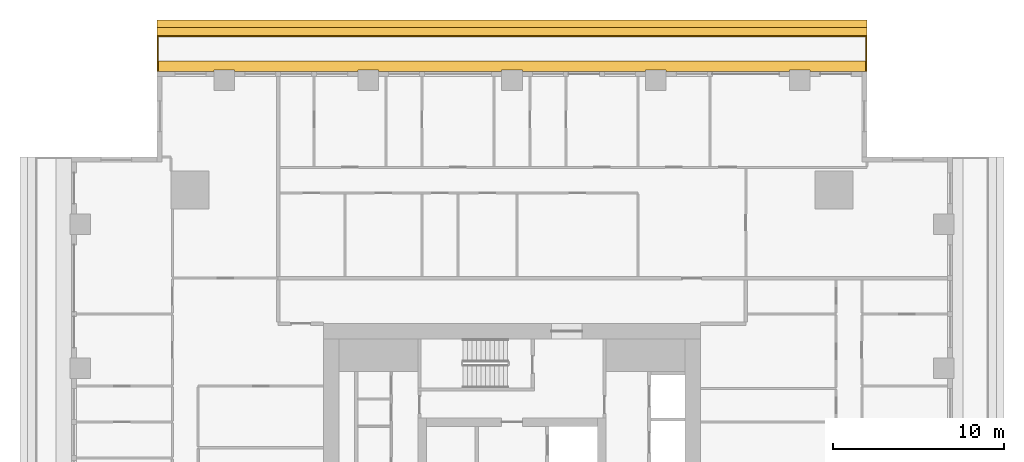
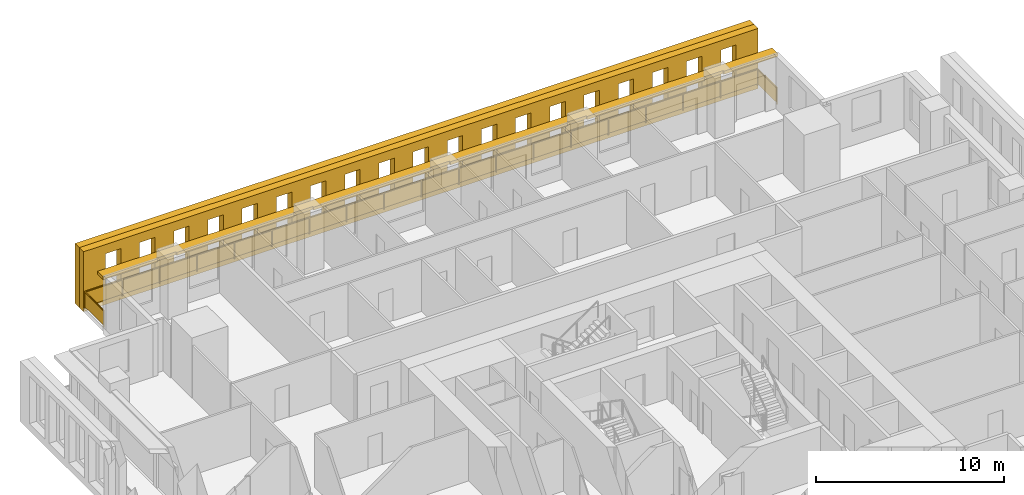
# One storey, part 14 of 14: 3 shading devices, 1 railing.
"""IFC4 building model written with IfcOpenShell, lengths in metres."""

from ifc_helpers import new_model, si_unit, direction, frame, origin, origin_2d, place, context, subcontext, project, spatial, polyline, rectangle, outline, extrude, material, layer, layer_set, type_object, element, save


model = new_model("IFC4")

# Units and contexts
model_context = context("Model", 3, precision=1e-05, world=origin(), true_north=direction((0.0, 1.0)))
body_context = subcontext(model_context, "Body", "Model", "MODEL_VIEW")
ifc_project = project(units=[si_unit("LENGTHUNIT", "METRE"), si_unit("AREAUNIT", "SQUARE_METRE"), si_unit("VOLUMEUNIT", "CUBIC_METRE"), si_unit("PLANEANGLEUNIT", "RADIAN"), si_unit("MASSUNIT", "GRAM", prefix="KILO")], contexts=[model_context])

# Site, building, storey
site_placement = place(None, origin())
site = spatial("IfcSite", under=ifc_project, at=site_placement, CompositionType="ELEMENT")
building_placement = place(site_placement, origin())
building = spatial("IfcBuilding", under=site, at=building_placement, Name="Khepri Terraces", CompositionType="ELEMENT")
storey_placement = place(building_placement, frame((0.0, 0.0, 283.5)))
storey = spatial("IfcBuildingStorey", under=building, at=storey_placement, Name="L68", CompositionType="ELEMENT", Elevation=283.5)

# Railing
ifc_material_1 = material(Name="Stainless steel grade 316", Category="steel")
railing_type = type_object("IfcRailingType", Name="GRD-BAL-1100", PredefinedType="GUARDRAIL", material=ifc_material_1)
railing_placement = place(storey_placement, frame((20.669921875, 25.719970703125, 0.0)))
element("IfcRailing", 1, at=railing_placement, inside=storey, type_object=railing_type, Name="Balcony guard L68 N", PredefinedType="GUARDRAIL", context=body_context, shape_type="SweptSolid", body=[
    extrude(rectangle(XDim=0.050048828125, YDim=0.06005859375, at=origin_2d()), frame((0.0, 0.0, 1.070068359375), z_axis=(0.0, 1.0, 0.0), x_axis=(-1.0, 0.0, 0.0)), (0.0, 0.0, 1.0), 2.050048828125),
    extrude(rectangle(XDim=2.0, YDim=0.011962890625, at=origin_2d()), frame((0.0, 1.02490234375, 0.10009765625), z_axis=(0.0, 0.0, 1.0), x_axis=(0.0, 1.0, 0.0)), (0.0, 0.0, 1.0), 0.93994140625),
    extrude(rectangle(XDim=0.050048828125, YDim=0.06005859375, at=origin_2d()), frame((0.0, 2.050048828125, 1.070068359375), z_axis=(-1.0, 0.0, 0.0), x_axis=(0.0, -1.0, 0.0)), (0.0, 0.0, 1.0), 41.33984375),
    extrude(rectangle(XDim=2.24658203125, YDim=0.011962890625, at=origin_2d()), frame((-1.1484375, 2.050048828125, 0.10009765625), z_axis=(0.0, 0.0, 1.0), x_axis=(-1.0, 0.0, 0.0)), (0.0, 0.0, 1.0), 0.93994140625),
    extrude(rectangle(XDim=2.24658203125, YDim=0.011962890625, at=origin_2d()), frame((-3.445068359375, 2.050048828125, 0.10009765625), z_axis=(0.0, 0.0, 1.0), x_axis=(-1.0, 0.0, 0.0)), (0.0, 0.0, 1.0), 0.93994140625),
    extrude(rectangle(XDim=2.24658203125, YDim=0.011962890625, at=origin_2d()), frame((-5.74169921875, 2.050048828125, 0.10009765625), z_axis=(0.0, 0.0, 1.0), x_axis=(-1.0, 0.0, 0.0)), (0.0, 0.0, 1.0), 0.93994140625),
    extrude(rectangle(XDim=2.24658203125, YDim=0.011962890625, at=origin_2d()), frame((-8.038330078125, 2.050048828125, 0.10009765625), z_axis=(0.0, 0.0, 1.0), x_axis=(-1.0, 0.0, 0.0)), (0.0, 0.0, 1.0), 0.93994140625),
    extrude(rectangle(XDim=2.24658203125, YDim=0.011962890625, at=origin_2d()), frame((-10.3349609375, 2.050048828125, 0.10009765625), z_axis=(0.0, 0.0, 1.0), x_axis=(-1.0, 0.0, 0.0)), (0.0, 0.0, 1.0), 0.93994140625),
    extrude(rectangle(XDim=2.24658203125, YDim=0.011962890625, at=origin_2d()), frame((-12.631591796875, 2.050048828125, 0.10009765625), z_axis=(0.0, 0.0, 1.0), x_axis=(-1.0, 0.0, 0.0)), (0.0, 0.0, 1.0), 0.93994140625),
    extrude(rectangle(XDim=2.24658203125, YDim=0.011962890625, at=origin_2d()), frame((-14.92822265625, 2.050048828125, 0.10009765625), z_axis=(0.0, 0.0, 1.0), x_axis=(-1.0, 0.0, 0.0)), (0.0, 0.0, 1.0), 0.93994140625),
    extrude(rectangle(XDim=2.24658203125, YDim=0.011962890625, at=origin_2d()), frame((-17.224853515625, 2.050048828125, 0.10009765625), z_axis=(0.0, 0.0, 1.0), x_axis=(-1.0, 0.0, 0.0)), (0.0, 0.0, 1.0), 0.93994140625),
    extrude(rectangle(XDim=2.24658203125, YDim=0.011962890625, at=origin_2d()), frame((-19.521484375, 2.050048828125, 0.10009765625), z_axis=(0.0, 0.0, 1.0), x_axis=(-1.0, 0.0, 0.0)), (0.0, 0.0, 1.0), 0.93994140625),
    extrude(rectangle(XDim=2.24658203125, YDim=0.011962890625, at=origin_2d()), frame((-21.818359375, 2.050048828125, 0.10009765625), z_axis=(0.0, 0.0, 1.0), x_axis=(-1.0, 0.0, 0.0)), (0.0, 0.0, 1.0), 0.93994140625),
    extrude(rectangle(XDim=2.24658203125, YDim=0.011962890625, at=origin_2d()), frame((-24.114990234375, 2.050048828125, 0.10009765625), z_axis=(0.0, 0.0, 1.0), x_axis=(-1.0, 0.0, 0.0)), (0.0, 0.0, 1.0), 0.93994140625),
    extrude(rectangle(XDim=2.24658203125, YDim=0.011962890625, at=origin_2d()), frame((-26.41162109375, 2.050048828125, 0.10009765625), z_axis=(0.0, 0.0, 1.0), x_axis=(-1.0, 0.0, 0.0)), (0.0, 0.0, 1.0), 0.93994140625),
    extrude(rectangle(XDim=2.24658203125, YDim=0.011962890625, at=origin_2d()), frame((-28.708251953125, 2.050048828125, 0.10009765625), z_axis=(0.0, 0.0, 1.0), x_axis=(-1.0, 0.0, 0.0)), (0.0, 0.0, 1.0), 0.93994140625),
    extrude(rectangle(XDim=2.24658203125, YDim=0.011962890625, at=origin_2d()), frame((-31.0048828125, 2.050048828125, 0.10009765625), z_axis=(0.0, 0.0, 1.0), x_axis=(-1.0, 0.0, 0.0)), (0.0, 0.0, 1.0), 0.93994140625),
    extrude(rectangle(XDim=2.24658203125, YDim=0.011962890625, at=origin_2d()), frame((-33.301513671875, 2.050048828125, 0.10009765625), z_axis=(0.0, 0.0, 1.0), x_axis=(-1.0, 0.0, 0.0)), (0.0, 0.0, 1.0), 0.93994140625),
    extrude(rectangle(XDim=2.24658203125, YDim=0.011962890625, at=origin_2d()), frame((-35.59814453125, 2.050048828125, 0.10009765625), z_axis=(0.0, 0.0, 1.0), x_axis=(-1.0, 0.0, 0.0)), (0.0, 0.0, 1.0), 0.93994140625),
    extrude(rectangle(XDim=2.24658203125, YDim=0.011962890625, at=origin_2d()), frame((-37.894775390625, 2.050048828125, 0.10009765625), z_axis=(0.0, 0.0, 1.0), x_axis=(-1.0, 0.0, 0.0)), (0.0, 0.0, 1.0), 0.93994140625),
    extrude(rectangle(XDim=2.24658203125, YDim=0.011962890625, at=origin_2d()), frame((-40.19140625, 2.050048828125, 0.10009765625), z_axis=(0.0, 0.0, 1.0), x_axis=(-1.0, 0.0, 0.0)), (0.0, 0.0, 1.0), 0.93994140625),
    extrude(rectangle(XDim=0.050048828125, YDim=0.06005859375, at=origin_2d()), frame((-41.33984375, 2.050048828125, 1.070068359375), z_axis=(0.0, -1.0, 0.0), x_axis=(1.0, 0.0, 0.0)), (0.0, 0.0, 1.0), 2.050048828125),
    extrude(rectangle(XDim=2.0, YDim=0.011962890625, at=origin_2d()), frame((-41.33984375, 1.02490234375, 0.10009765625), z_axis=(0.0, 0.0, 1.0), x_axis=(0.0, -1.0, 0.0)), (0.0, 0.0, 1.0), 0.93994140625),
    extrude(rectangle(XDim=0.050048828125, YDim=0.050048828125, at=origin_2d()), origin(), (0.0, 0.0, 1.0), 1.0400390625),
    extrude(rectangle(XDim=0.050048828125, YDim=0.050048828125, at=origin_2d()), frame((0.0, 2.050048828125, 0.0)), (0.0, 0.0, 1.0), 1.0400390625),
    extrude(rectangle(XDim=0.050048828125, YDim=0.050048828125, at=origin_2d()), frame((-2.296630859375, 2.050048828125, 0.0)), (0.0, 0.0, 1.0), 1.0400390625),
    extrude(rectangle(XDim=0.050048828125, YDim=0.050048828125, at=origin_2d()), frame((-4.59326171875, 2.050048828125, 0.0)), (0.0, 0.0, 1.0), 1.0400390625),
    extrude(rectangle(XDim=0.050048828125, YDim=0.050048828125, at=origin_2d()), frame((-6.889892578125, 2.050048828125, 0.0)), (0.0, 0.0, 1.0), 1.0400390625),
    extrude(rectangle(XDim=0.050048828125, YDim=0.050048828125, at=origin_2d()), frame((-9.1865234375, 2.050048828125, 0.0)), (0.0, 0.0, 1.0), 1.0400390625),
    extrude(rectangle(XDim=0.050048828125, YDim=0.050048828125, at=origin_2d()), frame((-11.4833984375, 2.050048828125, 0.0)), (0.0, 0.0, 1.0), 1.0400390625),
    extrude(rectangle(XDim=0.050048828125, YDim=0.050048828125, at=origin_2d()), frame((-13.780029296875, 2.050048828125, 0.0)), (0.0, 0.0, 1.0), 1.0400390625),
    extrude(rectangle(XDim=0.050048828125, YDim=0.050048828125, at=origin_2d()), frame((-16.07666015625, 2.050048828125, 0.0)), (0.0, 0.0, 1.0), 1.0400390625),
    extrude(rectangle(XDim=0.050048828125, YDim=0.050048828125, at=origin_2d()), frame((-18.373291015625, 2.050048828125, 0.0)), (0.0, 0.0, 1.0), 1.0400390625),
    extrude(rectangle(XDim=0.050048828125, YDim=0.050048828125, at=origin_2d()), frame((-20.669921875, 2.050048828125, 0.0)), (0.0, 0.0, 1.0), 1.0400390625),
    extrude(rectangle(XDim=0.050048828125, YDim=0.050048828125, at=origin_2d()), frame((-22.966552734375, 2.050048828125, 0.0)), (0.0, 0.0, 1.0), 1.0400390625),
    extrude(rectangle(XDim=0.050048828125, YDim=0.050048828125, at=origin_2d()), frame((-25.26318359375, 2.050048828125, 0.0)), (0.0, 0.0, 1.0), 1.0400390625),
    extrude(rectangle(XDim=0.050048828125, YDim=0.050048828125, at=origin_2d()), frame((-27.559814453125, 2.050048828125, 0.0)), (0.0, 0.0, 1.0), 1.0400390625),
    extrude(rectangle(XDim=0.050048828125, YDim=0.050048828125, at=origin_2d()), frame((-29.8564453125, 2.050048828125, 0.0)), (0.0, 0.0, 1.0), 1.0400390625),
    extrude(rectangle(XDim=0.050048828125, YDim=0.050048828125, at=origin_2d()), frame((-32.1533203125, 2.050048828125, 0.0)), (0.0, 0.0, 1.0), 1.0400390625),
    extrude(rectangle(XDim=0.050048828125, YDim=0.050048828125, at=origin_2d()), frame((-34.449951171875, 2.050048828125, 0.0)), (0.0, 0.0, 1.0), 1.0400390625),
    extrude(rectangle(XDim=0.050048828125, YDim=0.050048828125, at=origin_2d()), frame((-36.74658203125, 2.050048828125, 0.0)), (0.0, 0.0, 1.0), 1.0400390625),
    extrude(rectangle(XDim=0.050048828125, YDim=0.050048828125, at=origin_2d()), frame((-39.043212890625, 2.050048828125, 0.0)), (0.0, 0.0, 1.0), 1.0400390625),
    extrude(rectangle(XDim=0.050048828125, YDim=0.050048828125, at=origin_2d()), frame((-41.33984375, 2.050048828125, 0.0)), (0.0, 0.0, 1.0), 1.0400390625),
    extrude(rectangle(XDim=0.050048828125, YDim=0.050048828125, at=origin_2d()), frame((-41.33984375, 0.0, 0.0)), (0.0, 0.0, 1.0), 1.0400390625),
])

# Shading devices
ifc_material_2 = material(Name="Precast concrete C50/60 warm stone", Category="masonry")
shading_device_type_1 = type_object("IfcShadingDeviceType", Name="SCR-CELL-INNER-450", PredefinedType="USERDEFINED", material=ifc_material_2)
shading_device_1_placement = place(storey_placement, frame((20.719970703125, 27.820068359375, -0.25), z_axis=(0.0, 1.0, 0.0), x_axis=(-1.0, 0.0, 0.0)))
element("IfcShadingDevice", 2, at=shading_device_1_placement, inside=storey, type_object=shading_device_type_1, Name="Cell screen L68 N in", ObjectType="SCREEN", PredefinedType="USERDEFINED", context=body_context, shape_type="SweptSolid", body=[
    extrude(outline(polyline([(0.0, 0.0), (41.43994140625, 0.0), (41.43994140625, 3.89990234375), (0.0, 3.89990234375), (0.0, 0.0)]), holes=[polyline([(1.347412109375, 0.699951171875), (2.29248046875, 0.699951171875), (2.29248046875, 3.300048828125), (1.347412109375, 3.300048828125), (1.347412109375, 0.699951171875)]), polyline([(3.447509765625, 0.699951171875), (4.392578125, 0.699951171875), (4.392578125, 3.300048828125), (3.447509765625, 3.300048828125), (3.447509765625, 0.699951171875)]), polyline([(5.547607421875, 0.699951171875), (6.492431640625, 0.699951171875), (6.492431640625, 3.300048828125), (5.547607421875, 3.300048828125), (5.547607421875, 0.699951171875)]), polyline([(7.6474609375, 0.699951171875), (8.592529296875, 0.699951171875), (8.592529296875, 3.300048828125), (7.6474609375, 3.300048828125), (7.6474609375, 0.699951171875)]), polyline([(9.74755859375, 0.699951171875), (10.6923828125, 0.699951171875), (10.6923828125, 3.300048828125), (9.74755859375, 3.300048828125), (9.74755859375, 0.699951171875)]), polyline([(11.847412109375, 0.699951171875), (12.79248046875, 0.699951171875), (12.79248046875, 3.300048828125), (11.847412109375, 3.300048828125), (11.847412109375, 0.699951171875)]), polyline([(13.947509765625, 0.699951171875), (14.892578125, 0.699951171875), (14.892578125, 3.300048828125), (13.947509765625, 3.300048828125), (13.947509765625, 0.699951171875)]), polyline([(16.047607421875, 0.699951171875), (16.992431640625, 0.699951171875), (16.992431640625, 3.300048828125), (16.047607421875, 3.300048828125), (16.047607421875, 0.699951171875)]), polyline([(18.1474609375, 0.699951171875), (19.092529296875, 0.699951171875), (19.092529296875, 3.300048828125), (18.1474609375, 3.300048828125), (18.1474609375, 0.699951171875)]), polyline([(20.24755859375, 0.699951171875), (21.1923828125, 0.699951171875), (21.1923828125, 3.300048828125), (20.24755859375, 3.300048828125), (20.24755859375, 0.699951171875)]), polyline([(22.347412109375, 0.699951171875), (23.29248046875, 0.699951171875), (23.29248046875, 3.300048828125), (22.347412109375, 3.300048828125), (22.347412109375, 0.699951171875)]), polyline([(24.447509765625, 0.699951171875), (25.392578125, 0.699951171875), (25.392578125, 3.300048828125), (24.447509765625, 3.300048828125), (24.447509765625, 0.699951171875)]), polyline([(26.547607421875, 0.699951171875), (27.492431640625, 0.699951171875), (27.492431640625, 3.300048828125), (26.547607421875, 3.300048828125), (26.547607421875, 0.699951171875)]), polyline([(28.6474609375, 0.699951171875), (29.592529296875, 0.699951171875), (29.592529296875, 3.300048828125), (28.6474609375, 3.300048828125), (28.6474609375, 0.699951171875)]), polyline([(30.74755859375, 0.699951171875), (31.6923828125, 0.699951171875), (31.6923828125, 3.300048828125), (30.74755859375, 3.300048828125), (30.74755859375, 0.699951171875)]), polyline([(32.847412109375, 0.699951171875), (33.79248046875, 0.699951171875), (33.79248046875, 3.300048828125), (32.847412109375, 3.300048828125), (32.847412109375, 0.699951171875)]), polyline([(34.947509765625, 0.699951171875), (35.892578125, 0.699951171875), (35.892578125, 3.300048828125), (34.947509765625, 3.300048828125), (34.947509765625, 0.699951171875)]), polyline([(37.047607421875, 0.699951171875), (37.992431640625, 0.699951171875), (37.992431640625, 3.300048828125), (37.047607421875, 3.300048828125), (37.047607421875, 0.699951171875)]), polyline([(39.1474609375, 0.699951171875), (40.092529296875, 0.699951171875), (40.092529296875, 3.300048828125), (39.1474609375, 3.300048828125), (39.1474609375, 0.699951171875)])]), origin(), (0.0, 0.0, 1.0), 0.449951171875),
])
shading_device_type_2 = type_object("IfcShadingDeviceType", Name="SCR-CELL-OUTER-450", PredefinedType="USERDEFINED", material=ifc_material_2)
shading_device_2_placement = place(storey_placement, frame((20.719970703125, 28.27001953125, -0.25), z_axis=(0.0, 1.0, 0.0), x_axis=(-1.0, 0.0, 0.0)))
element("IfcShadingDevice", 3, at=shading_device_2_placement, inside=storey, type_object=shading_device_type_2, Name="Cell screen L68 N out", ObjectType="SCREEN", PredefinedType="USERDEFINED", context=body_context, shape_type="SweptSolid", body=[
    extrude(outline(polyline([(0.0, 0.0), (41.43994140625, 0.0), (41.43994140625, 3.89990234375), (0.0, 3.89990234375), (0.0, 0.0)]), holes=[polyline([(0.99755859375, 0.449951171875), (2.642578125, 0.449951171875), (2.642578125, 3.550048828125), (0.99755859375, 3.550048828125), (0.99755859375, 0.449951171875)]), polyline([(3.097412109375, 0.449951171875), (4.742431640625, 0.449951171875), (4.742431640625, 3.550048828125), (3.097412109375, 3.550048828125), (3.097412109375, 0.449951171875)]), polyline([(5.197509765625, 0.449951171875), (6.842529296875, 0.449951171875), (6.842529296875, 3.550048828125), (5.197509765625, 3.550048828125), (5.197509765625, 0.449951171875)]), polyline([(7.297607421875, 0.449951171875), (8.9423828125, 0.449951171875), (8.9423828125, 3.550048828125), (7.297607421875, 3.550048828125), (7.297607421875, 0.449951171875)]), polyline([(9.3974609375, 0.449951171875), (11.04248046875, 0.449951171875), (11.04248046875, 3.550048828125), (9.3974609375, 3.550048828125), (9.3974609375, 0.449951171875)]), polyline([(11.49755859375, 0.449951171875), (13.142578125, 0.449951171875), (13.142578125, 3.550048828125), (11.49755859375, 3.550048828125), (11.49755859375, 0.449951171875)]), polyline([(13.597412109375, 0.449951171875), (15.242431640625, 0.449951171875), (15.242431640625, 3.550048828125), (13.597412109375, 3.550048828125), (13.597412109375, 0.449951171875)]), polyline([(15.697509765625, 0.449951171875), (17.342529296875, 0.449951171875), (17.342529296875, 3.550048828125), (15.697509765625, 3.550048828125), (15.697509765625, 0.449951171875)]), polyline([(17.797607421875, 0.449951171875), (19.4423828125, 0.449951171875), (19.4423828125, 3.550048828125), (17.797607421875, 3.550048828125), (17.797607421875, 0.449951171875)]), polyline([(19.8974609375, 0.449951171875), (21.54248046875, 0.449951171875), (21.54248046875, 3.550048828125), (19.8974609375, 3.550048828125), (19.8974609375, 0.449951171875)]), polyline([(21.99755859375, 0.449951171875), (23.642578125, 0.449951171875), (23.642578125, 3.550048828125), (21.99755859375, 3.550048828125), (21.99755859375, 0.449951171875)]), polyline([(24.097412109375, 0.449951171875), (25.742431640625, 0.449951171875), (25.742431640625, 3.550048828125), (24.097412109375, 3.550048828125), (24.097412109375, 0.449951171875)]), polyline([(26.197509765625, 0.449951171875), (27.842529296875, 0.449951171875), (27.842529296875, 3.550048828125), (26.197509765625, 3.550048828125), (26.197509765625, 0.449951171875)]), polyline([(28.297607421875, 0.449951171875), (29.9423828125, 0.449951171875), (29.9423828125, 3.550048828125), (28.297607421875, 3.550048828125), (28.297607421875, 0.449951171875)]), polyline([(30.3974609375, 0.449951171875), (32.04248046875, 0.449951171875), (32.04248046875, 3.550048828125), (30.3974609375, 3.550048828125), (30.3974609375, 0.449951171875)]), polyline([(32.49755859375, 0.449951171875), (34.142578125, 0.449951171875), (34.142578125, 3.550048828125), (32.49755859375, 3.550048828125), (32.49755859375, 0.449951171875)]), polyline([(34.597412109375, 0.449951171875), (36.242431640625, 0.449951171875), (36.242431640625, 3.550048828125), (34.597412109375, 3.550048828125), (34.597412109375, 0.449951171875)]), polyline([(36.697509765625, 0.449951171875), (38.342529296875, 0.449951171875), (38.342529296875, 3.550048828125), (36.697509765625, 3.550048828125), (36.697509765625, 0.449951171875)]), polyline([(38.797607421875, 0.449951171875), (40.4423828125, 0.449951171875), (40.4423828125, 3.550048828125), (38.797607421875, 3.550048828125), (38.797607421875, 0.449951171875)])]), origin(), (0.0, 0.0, 1.0), 0.449951171875),
])
ifc_layer = layer(ifc_material_2, 0.199951171875, Name="Precast concrete C50/60 warm stone", Category="masonry")
ifc_layer_set = layer_set([ifc_layer], Name="Precast concrete C50/60 warm stone")
shading_device_type_3 = type_object("IfcShadingDeviceType", Name="SSH-BAND-STONE-200-N", PredefinedType="USERDEFINED", material=ifc_layer_set)
shading_device_3_placement = place(storey_placement, frame((0.0, 0.0, 3.10009765625)))
element("IfcShadingDevice", 4, at=shading_device_3_placement, inside=storey, type_object=shading_device_type_3, Name="Sunshade band L68 N", ObjectType="SUNSHADE", PredefinedType="USERDEFINED", context=body_context, shape_type="SweptSolid", body=[
    extrude(outline(polyline([(17.39990234375, 25.719970703125), (20.719970703125, 25.719970703125), (20.719970703125, 26.320068359375), (-20.719970703125, 26.320068359375), (-20.719970703125, 25.719970703125), (-17.39990234375, 25.719970703125), (-17.39990234375, 25.800048828125), (-16.199951171875, 25.800048828125), (-16.199951171875, 25.719970703125), (-9.0, 25.719970703125), (-9.0, 25.800048828125), (-7.800048828125, 25.800048828125), (-7.800048828125, 25.719970703125), (-0.60009765625, 25.719970703125), (-0.60009765625, 25.800048828125), (0.60009765625, 25.800048828125), (0.60009765625, 25.719970703125), (7.800048828125, 25.719970703125), (7.800048828125, 25.800048828125), (9.0, 25.800048828125), (9.0, 25.719970703125), (16.199951171875, 25.719970703125), (16.199951171875, 25.800048828125), (17.39990234375, 25.800048828125), (17.39990234375, 25.719970703125)])), origin(), (0.0, 0.0, 1.0), 0.199951171875),
])

save(model, "model.ifc")
